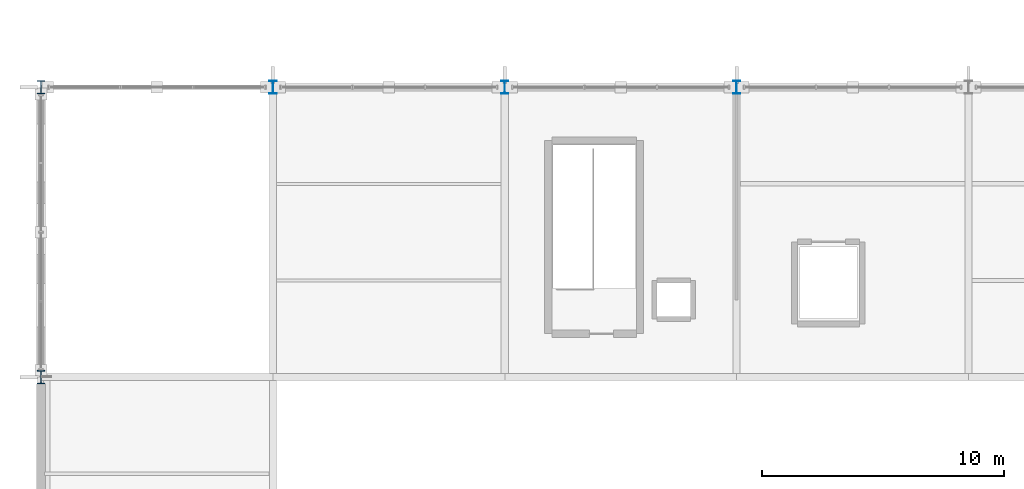
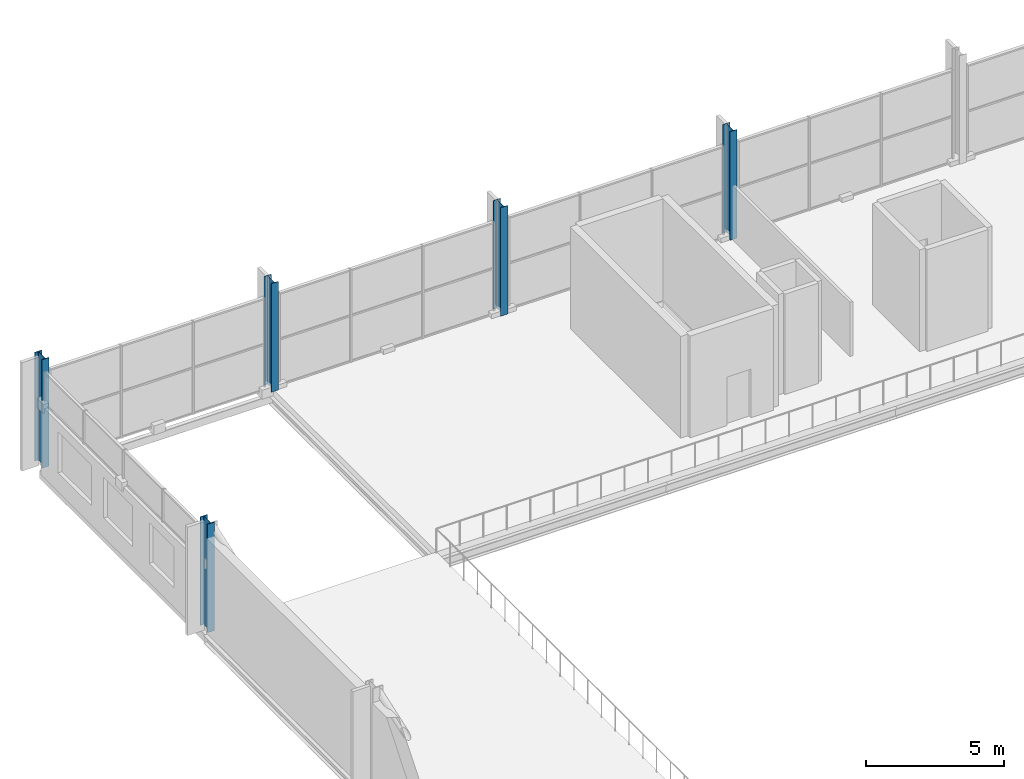
# One storey, part 12 of 159: 5 columns.
"""IFC4 building model written with IfcOpenShell, lengths in metres."""

from ifc_helpers import new_model, si_unit, direction, frame, origin, origin_2d, place, context, subcontext, project, spatial, i_section, extrude, material, material_profile, profile_set, type_object, element, save


model = new_model("IFC4")

# Units and contexts
model_context = context("Model", 3, precision=1e-05, world=origin(), true_north=direction((0.0, 1.0)))
body_context = subcontext(model_context, "Body", "Model", "MODEL_VIEW")
ifc_project = project(units=[si_unit("LENGTHUNIT", "METRE"), si_unit("AREAUNIT", "SQUARE_METRE"), si_unit("VOLUMEUNIT", "CUBIC_METRE"), si_unit("PLANEANGLEUNIT", "RADIAN"), si_unit("MASSUNIT", "GRAM", prefix="KILO")], contexts=[model_context])

# Site, building, storey
site_placement = place(None, origin())
site = spatial("IfcSite", under=ifc_project, at=site_placement, CompositionType="ELEMENT")
building_placement = place(site_placement, origin())
building = spatial("IfcBuilding", under=site, at=building_placement, Name="Merenkruunu Market Hall", CompositionType="ELEMENT")
storey_placement = place(building_placement, frame((0.0, 0.0, 5.39990234375)))
storey = spatial("IfcBuildingStorey", under=building, at=storey_placement, Name="L01", CompositionType="ELEMENT", Elevation=5.39990234375)

# Columns
ifc_material_1 = material(Name="Steel S355ML", Category="steel")
ifc_material_profile_1 = material_profile(ifc_material_1, i_section(OverallWidth=0.300048828125, OverallDepth=0.550048828125, WebThickness=0.014892578125, FlangeThickness=0.029052734375, FilletRadius=0.027099609375, at=origin_2d()), Name="HEB 550")
ifc_profile_set_1 = profile_set([ifc_material_profile_1], Name="Steel S355ML")
column_type_1 = type_object("IfcColumnType", Name="Structural Column C02", PredefinedType="COLUMN", material=ifc_profile_set_1)
for number, where, z_axis, x_axis, name in (
    (1, (0.0, 99.60009765625, 0.0), (0.0, 0.0, 1.0), (1.0, 0.0, 0.0), "COL-L01-A-11"),
    (2, (0.0, 111.60009765625, 0.0), (0.0, 0.0, 1.0), (1.0, 0.0, 0.0), "COL-L01-A-12"),
):
    element("IfcColumn", number, at=place(storey_placement, frame(where, z_axis=z_axis, x_axis=x_axis)), inside=storey, type_object=column_type_1, Name=name, PredefinedType="COLUMN", context=body_context, shape_type="SweptSolid", body=[
        extrude(i_section(OverallWidth=0.300048828125, OverallDepth=0.550048828125, WebThickness=0.014892578125, FlangeThickness=0.029052734375, FilletRadius=0.027099609375, at=origin_2d()), origin(), (0.0, 0.0, 1.0), 4.800048828125),
    ])
ifc_material_2 = material(Name="Steel S355J2", Category="steel")
ifc_material_profile_2 = material_profile(ifc_material_2, i_section(OverallWidth=0.300048828125, OverallDepth=0.5400390625, WebThickness=0.012451171875, FlangeThickness=0.02392578125, FilletRadius=0.027099609375, at=origin_2d()), Name="HEA 550")
ifc_profile_set_2 = profile_set([ifc_material_profile_2], Name="Steel S355J2")
column_type_2 = type_object("IfcColumnType", Name="Structural Column C06", PredefinedType="COLUMN", material=ifc_profile_set_2)
for number, where, z_axis, x_axis, name in (
    (3, (9.60009765625, 111.60009765625, 0.0), (0.0, 0.0, 1.0), (1.0, 0.0, 0.0), "COL-L01-B-12"),
    (4, (19.199951171875, 111.60009765625, 0.0), (0.0, 0.0, 1.0), (1.0, 0.0, 0.0), "COL-L01-C-12"),
    (5, (28.800048828125, 111.60009765625, 0.0), (0.0, 0.0, 1.0), (1.0, 0.0, 0.0), "COL-L01-D-12"),
):
    element("IfcColumn", number, at=place(storey_placement, frame(where, z_axis=z_axis, x_axis=x_axis)), inside=storey, type_object=column_type_2, Name=name, PredefinedType="COLUMN", context=body_context, shape_type="SweptSolid", body=[
        extrude(i_section(OverallWidth=0.300048828125, OverallDepth=0.5400390625, WebThickness=0.012451171875, FlangeThickness=0.02392578125, FilletRadius=0.027099609375, at=origin_2d()), origin(), (0.0, 0.0, 1.0), 4.800048828125),
    ])

save(model, "model.ifc")
